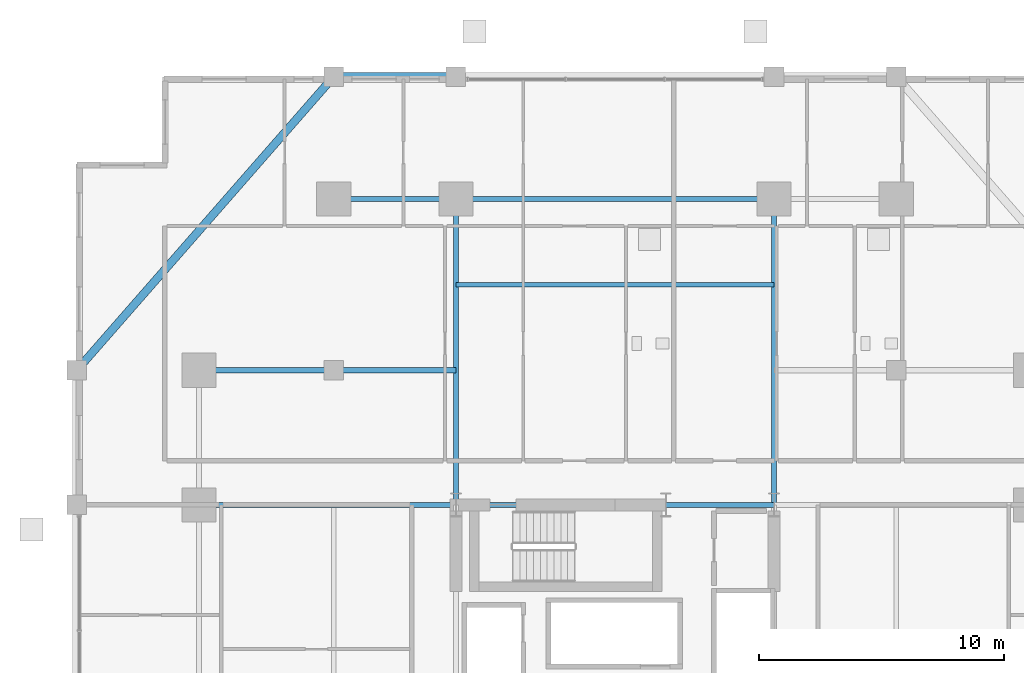
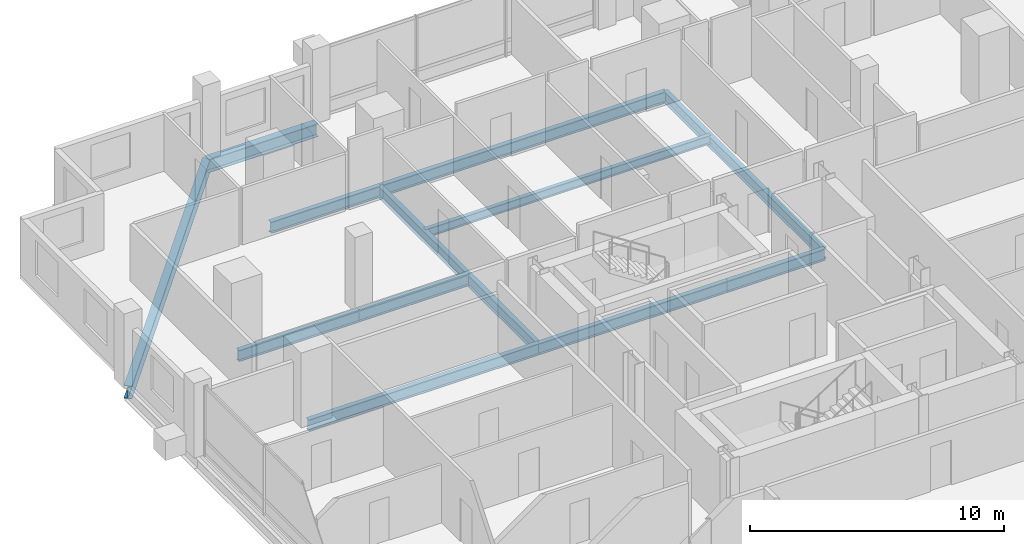
# One storey, part 12 of 23: 12 beams.
"""IFC4 building model written with IfcOpenShell, lengths in metres."""

from ifc_helpers import new_model, si_unit, direction, frame, origin, origin_2d, place, context, subcontext, project, spatial, i_section, extrude, material, material_profile, profile_set, type_object, element, save


model = new_model("IFC4")

# Units and contexts
model_context = context("Model", 3, precision=1e-05, world=origin(), true_north=direction((0.0, 1.0)))
body_context = subcontext(model_context, "Body", "Model", "MODEL_VIEW")
ifc_project = project(units=[si_unit("LENGTHUNIT", "METRE"), si_unit("AREAUNIT", "SQUARE_METRE"), si_unit("VOLUMEUNIT", "CUBIC_METRE"), si_unit("PLANEANGLEUNIT", "RADIAN"), si_unit("MASSUNIT", "GRAM", prefix="KILO")], contexts=[model_context])

# Site, building, storey
site_placement = place(None, origin())
site = spatial("IfcSite", under=ifc_project, at=site_placement, CompositionType="ELEMENT")
building_placement = place(site_placement, origin())
building = spatial("IfcBuilding", under=site, at=building_placement, Name="Barlavira Tower and Art Museum", CompositionType="ELEMENT")
storey_placement = place(building_placement, frame((0.0, 0.0, 64.800048828125)))
storey = spatial("IfcBuildingStorey", under=building, at=storey_placement, Name="L15", CompositionType="ELEMENT", Elevation=64.800048828125)

# Beams
ifc_material = material(Name="Steel S355", Category="steel")
ifc_material_profile_1 = material_profile(ifc_material, i_section(OverallWidth=0.327880859375, OverallDepth=0.62890625, WebThickness=0.013916015625, FlangeThickness=0.021484375, at=origin_2d()), Name="W610x174.0")
ifc_profile_set_1 = profile_set([ifc_material_profile_1], Name="Steel S355")
beam_type_1 = type_object("IfcBeamType", Name="Perimeter Spandrel Edge Beam W610x174 Steel S355", PredefinedType="SPANDREL", material=ifc_profile_set_1)
beam_1_placement = place(storey_placement, frame((-11.5, 25.0, -0.53466796875), z_axis=(1.0, 0.0, 0.0), x_axis=(0.0, 1.0, 0.0)))
element("IfcBeam", 1, at=beam_1_placement, inside=storey, type_object=beam_type_1, Name="L15 Spandrel 11", PredefinedType="SPANDREL", context=body_context, shape_type="SweptSolid", body=[
    extrude(i_section(OverallWidth=0.327880859375, OverallDepth=0.62890625, WebThickness=0.013916015625, FlangeThickness=0.021484375, at=origin_2d()), origin(), (0.0, 0.0, 1.0), 5.0),
])
beam_2_placement = place(storey_placement, frame((-11.5, 25.0, -0.53466796875), z_axis=(-0.658504607869, -0.752576694707, 0.0), x_axis=(0.752576694707, -0.658504607869, 0.0)))
element("IfcBeam", 2, at=beam_2_placement, inside=storey, type_object=beam_type_1, Name="L15 Spandrel 12", PredefinedType="SPANDREL", context=body_context, shape_type="SweptSolid", body=[
    extrude(i_section(OverallWidth=0.327880859375, OverallDepth=0.62890625, WebThickness=0.013916015625, FlangeThickness=0.021484375, at=origin_2d()), origin(), (0.0, 0.0, 1.0), 15.9453125),
])
ifc_material_profile_2 = material_profile(ifc_material, i_section(OverallWidth=0.180908203125, OverallDepth=0.4169921875, WebThickness=0.010986328125, FlangeThickness=0.018310546875, at=origin_2d()), Name="W410x85.0")
ifc_profile_set_2 = profile_set([ifc_material_profile_2], Name="Steel S355")
beam_type_2 = type_object("IfcBeamType", Name="Zone 1 Composite Floor Joist W410x85 Steel S355", PredefinedType="JOIST", material=ifc_profile_set_2)
beam_3_placement = place(storey_placement, frame((-6.5, 16.5, -0.428466796875), z_axis=(1.0, 0.0, 0.0), x_axis=(0.0, 1.0, 0.0)))
element("IfcBeam", 3, at=beam_3_placement, inside=storey, type_object=beam_type_2, Name="L15 Joist C2", PredefinedType="JOIST", context=body_context, shape_type="SweptSolid", body=[
    extrude(i_section(OverallWidth=0.180908203125, OverallDepth=0.4169921875, WebThickness=0.010986328125, FlangeThickness=0.018310546875, at=origin_2d()), origin(), (0.0, 0.0, 1.0), 13.0),
])
ifc_material_profile_3 = material_profile(ifc_material, i_section(OverallWidth=0.214111328125, OverallDepth=0.549072265625, WebThickness=0.0146484375, FlangeThickness=0.023681640625, at=origin_2d()), Name="W530x138.0")
ifc_profile_set_3 = profile_set([ifc_material_profile_3], Name="Steel S355")
beam_type_3 = type_object("IfcBeamType", Name="Zone 1 Primary Floor Girder W530x138 Steel S355", PredefinedType="BEAM", material=ifc_profile_set_3)
beam_4_placement = place(storey_placement, frame((-6.5, 7.5, -0.49462890625), z_axis=(1.0, 0.0, 0.0), x_axis=(0.0, 1.0, 0.0)))
element("IfcBeam", 4, at=beam_4_placement, inside=storey, type_object=beam_type_3, Name="L15 Girder C-N1", PredefinedType="BEAM", context=body_context, shape_type="SweptSolid", body=[
    extrude(i_section(OverallWidth=0.214111328125, OverallDepth=0.549072265625, WebThickness=0.0146484375, FlangeThickness=0.023681640625, at=origin_2d()), origin(), (0.0, 0.0, 1.0), 8.580078125),
])
beam_5_placement = place(storey_placement, frame((2.080078125, 7.5, -0.49462890625), z_axis=(1.0, 0.0, 0.0), x_axis=(0.0, 1.0, 0.0)))
element("IfcBeam", 5, at=beam_5_placement, inside=storey, type_object=beam_type_3, Name="L15 Girder C-N2", PredefinedType="BEAM", context=body_context, shape_type="SweptSolid", body=[
    extrude(i_section(OverallWidth=0.214111328125, OverallDepth=0.549072265625, WebThickness=0.0146484375, FlangeThickness=0.023681640625, at=origin_2d()), origin(), (0.0, 0.0, 1.0), 4.419921875),
])
beam_6_placement = place(storey_placement, frame((-11.5, 20.0, -0.49462890625), z_axis=(1.0, 0.0, 0.0), x_axis=(0.0, 1.0, 0.0)))
element("IfcBeam", 6, at=beam_6_placement, inside=storey, type_object=beam_type_3, Name="L15 Girder M-N1", PredefinedType="BEAM", context=body_context, shape_type="SweptSolid", body=[
    extrude(i_section(OverallWidth=0.214111328125, OverallDepth=0.549072265625, WebThickness=0.0146484375, FlangeThickness=0.023681640625, at=origin_2d()), origin(), (0.0, 0.0, 1.0), 5.0),
])
beam_7_placement = place(storey_placement, frame((-6.5, 20.0, -0.49462890625), z_axis=(1.0, 0.0, 0.0), x_axis=(0.0, 1.0, 0.0)))
element("IfcBeam", 7, at=beam_7_placement, inside=storey, type_object=beam_type_3, Name="L15 Girder M-N2", PredefinedType="BEAM", context=body_context, shape_type="SweptSolid", body=[
    extrude(i_section(OverallWidth=0.214111328125, OverallDepth=0.549072265625, WebThickness=0.0146484375, FlangeThickness=0.023681640625, at=origin_2d()), origin(), (0.0, 0.0, 1.0), 13.0),
])
for number, where, z_axis, x_axis, name in (
    (8, (-6.5, 7.5, -0.49462890625), (0.0, 1.0, 0.0), (-1.0, 0.0, 0.0), "L15 Girder R-N1"),
    (9, (6.5, 7.5, -0.49462890625), (0.0, 1.0, 0.0), (-1.0, 0.0, 0.0), "L15 Girder R-N2"),
):
    element("IfcBeam", number, at=place(storey_placement, frame(where, z_axis=z_axis, x_axis=x_axis)), inside=storey, type_object=beam_type_3, Name=name, PredefinedType="BEAM", context=body_context, shape_type="SweptSolid", body=[
        extrude(i_section(OverallWidth=0.214111328125, OverallDepth=0.549072265625, WebThickness=0.0146484375, FlangeThickness=0.023681640625, at=origin_2d()), origin(), (0.0, 0.0, 1.0), 12.5),
    ])
beam_8_placement = place(storey_placement, frame((-17.0, 7.5, -0.49462890625), z_axis=(1.0, 0.0, 0.0), x_axis=(0.0, 1.0, 0.0)))
element("IfcBeam", 10, at=beam_8_placement, inside=storey, type_object=beam_type_3, Name="L15 Girder R-W2", PredefinedType="BEAM", context=body_context, shape_type="SweptSolid", body=[
    extrude(i_section(OverallWidth=0.214111328125, OverallDepth=0.549072265625, WebThickness=0.0146484375, FlangeThickness=0.023681640625, at=origin_2d()), origin(), (0.0, 0.0, 1.0), 10.5),
])
beam_9_placement = place(storey_placement, frame((-17.0, 13.0, -0.49462890625), z_axis=(1.0, 0.0, 0.0), x_axis=(0.0, 1.0, 0.0)))
element("IfcBeam", 11, at=beam_9_placement, inside=storey, type_object=beam_type_3, Name="L15 Girder I-N1", PredefinedType="BEAM", context=body_context, shape_type="SweptSolid", body=[
    extrude(i_section(OverallWidth=0.214111328125, OverallDepth=0.549072265625, WebThickness=0.0146484375, FlangeThickness=0.023681640625, at=origin_2d()), origin(), (0.0, 0.0, 1.0), 5.5),
])
beam_10_placement = place(storey_placement, frame((-11.5, 13.0, -0.49462890625), z_axis=(1.0, 0.0, 0.0), x_axis=(0.0, 1.0, 0.0)))
element("IfcBeam", 12, at=beam_10_placement, inside=storey, type_object=beam_type_3, Name="L15 Girder I-N2", PredefinedType="BEAM", context=body_context, shape_type="SweptSolid", body=[
    extrude(i_section(OverallWidth=0.214111328125, OverallDepth=0.549072265625, WebThickness=0.0146484375, FlangeThickness=0.023681640625, at=origin_2d()), origin(), (0.0, 0.0, 1.0), 5.0),
])

save(model, "model.ifc")
